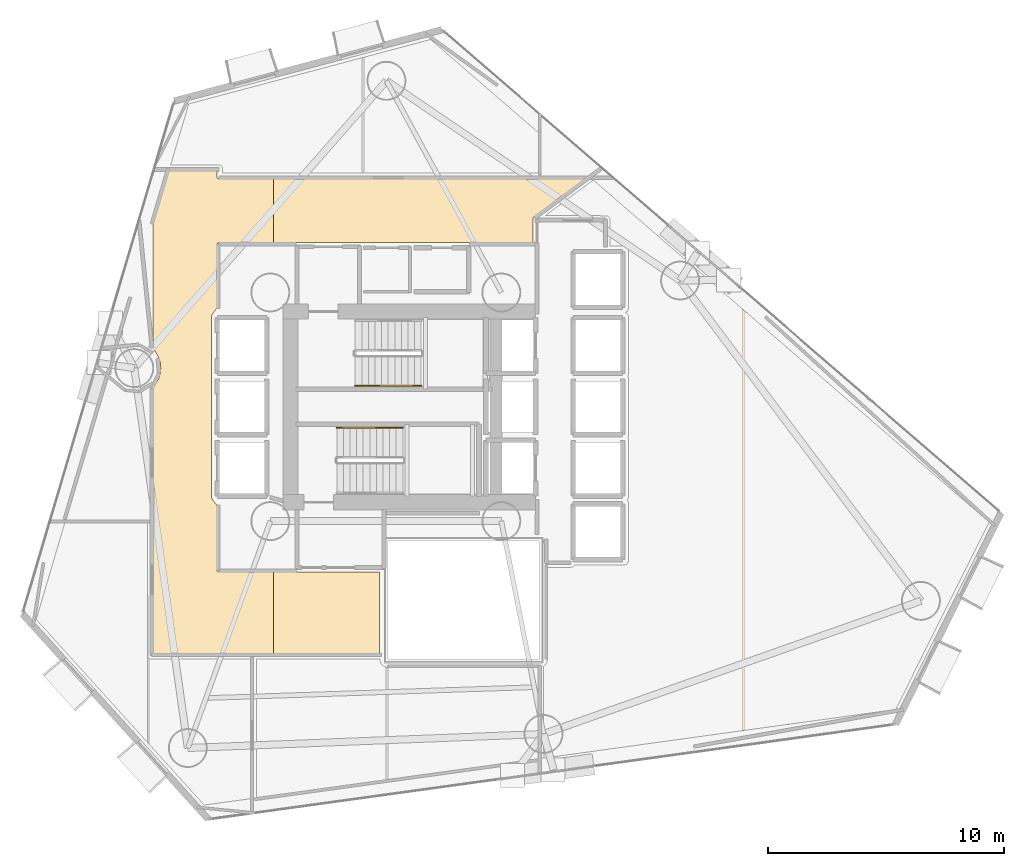
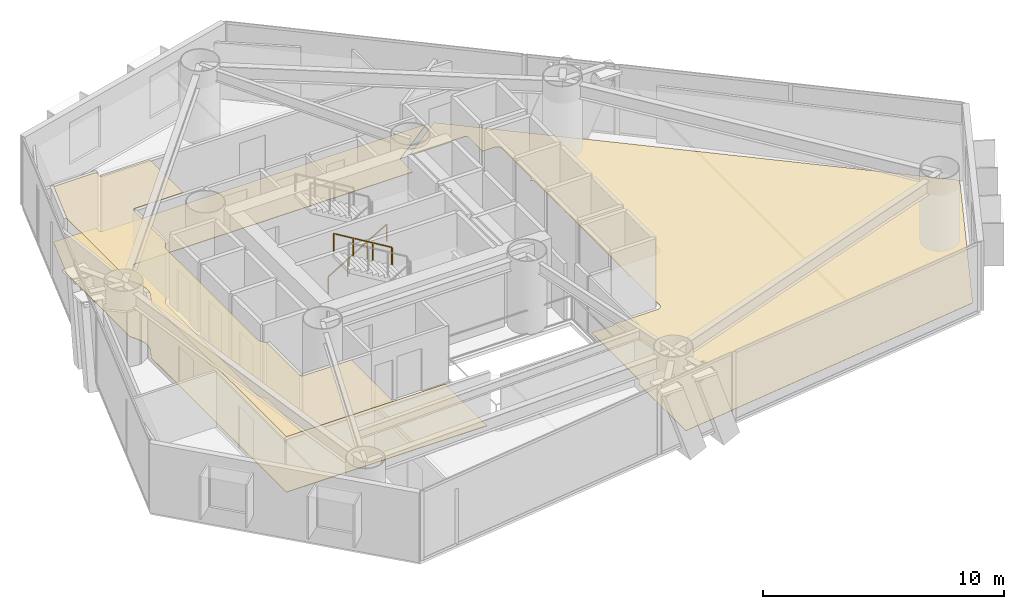
# One storey, part 21 of 23: 3 coverings, 2 railings.
"""IFC4 building model written with IfcOpenShell, lengths in metres."""

import ifcopenshell
import ifcopenshell.guid

model = None  # the IFC model being written
_history = None  # IfcOwnerHistory: only IFC2X3 demands one
_inside = {}  # id of a spatial element -> (the spatial element, [elements in it])
_under = {}  # id of a project, library or spatial element -> (it, [spatial elements below it])
_declared = {}  # id of a project -> (the project, [libraries it declares])
_typed = {}  # id of a type object -> (the type object, [elements of that type])
_made_of = {}  # id of a material, layer set ... -> (it, [elements and type objects made of it])


def new_model(schema):
    """Start an empty IFC model of exactly this schema.

    Asked for "IFC4X3", IfcOpenShell would pick the latest addendum, in which some entities
    have other attributes; the version numbers below select the first issue.
    IFC2X3 requires an IfcOwnerHistory on every rooted entity: one is made here for all.
    """
    global model, _history
    if schema == "IFC4X3":
        model = ifcopenshell.file(schema_version=(4, 3, 0, 0))
    else:
        model = ifcopenshell.file(schema=schema)
    _inside.clear()
    _under.clear()
    _declared.clear()
    _typed.clear()
    _made_of.clear()
    _history = None
    if model.schema == "IFC2X3":
        org = make("IfcOrganization", Name="unknown")
        user = make(
            "IfcPersonAndOrganization",
            ThePerson=make("IfcPerson", FamilyName="unknown"),
            TheOrganization=org,
        )
        app = make(
            "IfcApplication",
            ApplicationDeveloper=org,
            Version="unknown",
            ApplicationFullName="unknown",
            ApplicationIdentifier="unknown",
        )
        _history = make(
            "IfcOwnerHistory",
            OwningUser=user,
            OwningApplication=app,
            ChangeAction="ADDED",
            CreationDate=0,
        )
    return model


def make(cls, **values):
    """One entity of the class cls with the attributes given. An attribute that is None is left unset."""
    return model.create_entity(
        cls, **{name: value for name, value in values.items() if value is not None}
    )


def rooted(cls, **values):
    """An entity with a GlobalId (a new one), such as an element, a storey or a relation."""
    return make(cls, GlobalId=ifcopenshell.guid.new(), OwnerHistory=_history, **values)


def si_unit(unit_type, name, prefix=None):
    """IfcSIUnit, for example si_unit("LENGTHUNIT", "METRE", prefix="MILLI")."""
    return make("IfcSIUnit", UnitType=unit_type, Prefix=prefix, Name=name)


def assignment(units):
    """IfcUnitAssignment: the units of a project."""
    return None if units is None else make("IfcUnitAssignment", Units=units)


def point(xyz):
    """IfcCartesianPoint."""
    return None if xyz is None else make("IfcCartesianPoint", Coordinates=xyz)


def direction(xyz):
    """IfcDirection."""
    return None if xyz is None else make("IfcDirection", DirectionRatios=xyz)


def frame(location, z_axis=None, x_axis=None):
    """IfcAxis2Placement3D, a coordinate frame: its origin and axes. An axis left out is left unset."""
    return make(
        "IfcAxis2Placement3D",
        Location=point(location),
        Axis=direction(z_axis),
        RefDirection=direction(x_axis),
    )


def frame_2d(location, x_axis=None):
    """IfcAxis2Placement2D, a coordinate frame in the plane: its origin and x axis."""
    return make(
        "IfcAxis2Placement2D", Location=point(location), RefDirection=direction(x_axis)
    )


def origin():
    """The frame at (0, 0, 0) with its axes left unset."""
    return frame((0.0, 0.0, 0.0))


def origin_2d():
    """The frame at (0, 0) in the plane with its x axis left unset."""
    return frame_2d((0.0, 0.0))


def place(relative_to, where):
    """IfcLocalPlacement: puts the frame where relative to a parent placement (None: the world)."""
    return make(
        "IfcLocalPlacement", PlacementRelTo=relative_to, RelativePlacement=where
    )


def context(
    kind, dimensions, precision=None, world=None, true_north=None, identifier=None
):
    """IfcGeometricRepresentationContext, for example the 3D "Model" context."""
    return make(
        "IfcGeometricRepresentationContext",
        ContextIdentifier=identifier,
        ContextType=kind,
        CoordinateSpaceDimension=dimensions,
        Precision=precision,
        WorldCoordinateSystem=world,
        TrueNorth=true_north,
    )


def subcontext(parent, identifier, kind, view, scale=None):
    """IfcGeometricRepresentationSubContext, for example "Body" below "Model"."""
    return make(
        "IfcGeometricRepresentationSubContext",
        ContextIdentifier=identifier,
        ContextType=kind,
        ParentContext=parent,
        TargetScale=scale,
        TargetView=view,
    )


def project(units=None, contexts=None):
    """IfcProject with its units and contexts."""
    return rooted(
        "IfcProject",
        Name="project",
        RepresentationContexts=contexts,
        UnitsInContext=assignment(units),
    )


def spatial(cls, under=None, at=None, **own):
    """A site, building, storey or space (cls), placed at a placement, below another one or the project."""
    s = rooted(cls, ObjectPlacement=at, **own)
    if under is not None:
        _under.setdefault(under.id(), (under, []))[1].append(s)
    return s


def polyline(points):
    """IfcPolyline through the points."""
    return make("IfcPolyline", Points=[point(p) for p in points])


def profile(cls, at=None, kind="AREA", **sizes):
    """A parametric profile (cls). Its sizes go by their IFC names, for example OverallWidth=200.0."""
    return make(cls, ProfileType=kind, Position=at, **sizes)


def rectangle(**sizes):
    """IfcRectangleProfileDef."""
    return profile("IfcRectangleProfileDef", **sizes)


def outline(outer, holes=None, kind="AREA"):
    """IfcArbitraryClosedProfileDef: a profile drawn as a closed curve; with holes, ...WithVoids."""
    if holes is None:
        return make("IfcArbitraryClosedProfileDef", ProfileType=kind, OuterCurve=outer)
    return make(
        "IfcArbitraryProfileDefWithVoids",
        ProfileType=kind,
        OuterCurve=outer,
        InnerCurves=holes,
    )


def extrude(swept, where, along, depth):
    """IfcExtrudedAreaSolid: the profile swept, set in the frame where, extruded along a direction by depth."""
    return make(
        "IfcExtrudedAreaSolid",
        SweptArea=swept,
        Position=where,
        ExtrudedDirection=direction(along),
        Depth=depth,
    )


def shape(context_of_items, identifier, shape_type, items):
    """IfcShapeRepresentation: the items that make up one representation, for example the "Body"."""
    return make(
        "IfcShapeRepresentation",
        ContextOfItems=context_of_items,
        RepresentationIdentifier=identifier,
        RepresentationType=shape_type,
        Items=items,
    )


def material(Name=None, Category=None):
    """IfcMaterial."""
    return make("IfcMaterial", Name=Name, Category=Category)


def layer(
    of_material, thickness, ventilated=None, Name=None, Category=None, Priority=None
):
    """IfcMaterialLayer: one layer of a wall or slab, of a material (None: an air gap)."""
    return make(
        "IfcMaterialLayer",
        Material=of_material,
        LayerThickness=thickness,
        IsVentilated=ventilated,
        Name=Name,
        Category=Category,
        Priority=Priority,
    )


def layer_set(layers, Name=None):
    """IfcMaterialLayerSet."""
    return make("IfcMaterialLayerSet", MaterialLayers=layers, LayerSetName=Name)


def made_of(thing, what):
    """Note that an element or type object is made of a material, layer set ...; save() writes the relation."""
    if what is not None:
        _made_of.setdefault(what.id(), (what, []))[1].append(thing)
    return thing


def type_object(cls, material=None, **own):
    """A type object (cls), such as IfcWallType, which elements share."""
    return made_of(rooted(cls, **own), material)


def element(
    cls,
    number,
    at=None,
    inside=None,
    cuts=None,
    type_object=None,
    material=None,
    context=None,
    identifier="Body",
    shape_type=None,
    held_by="IfcProductDefinitionShape",
    body=None,
    shapes=None,
    **own,
):
    """One element of the class cls, such as IfcWall. Its Tag is "e" and its number.

    at: its placement. inside: the storey or other place that contains it. cuts: it is an
    opening in that element (IfcRelVoidsElement). A single representation is given by context,
    identifier, shape_type and body (its items); several are given by shapes. held_by: the class
    of the entity that holds the representations. save() writes the other relations.
    """
    e = rooted(cls, Tag="e%d" % number, ObjectPlacement=at, **own)
    if body is not None:
        shapes = [shape(context, identifier, shape_type, body)]
    if shapes is not None:
        e.Representation = make(held_by, Representations=shapes)
    if inside is not None:
        _inside.setdefault(inside.id(), (inside, []))[1].append(e)
    if cuts is not None:
        rooted(
            "IfcRelVoidsElement", RelatingBuildingElement=cuts, RelatedOpeningElement=e
        )
    if type_object is not None:
        _typed.setdefault(type_object.id(), (type_object, []))[1].append(e)
    return made_of(e, material)


def aggregate(whole, parts):
    """IfcRelAggregates: a whole, such as a stair, and the parts it consists of."""
    return rooted("IfcRelAggregates", RelatingObject=whole, RelatedObjects=parts)


def save(model, path):
    """Write the relations noted so far, then the file.

    IfcRelAggregates (storeys below a building ...), IfcRelContainedInSpatialStructure (elements
    in a storey), IfcRelDefinesByType, IfcRelAssociatesMaterial and IfcRelDeclares: one each for
    every whole, place, type object, material and project.
    """
    for whole, parts in _under.values():
        aggregate(whole, parts)
    for where, things in _inside.values():
        rooted(
            "IfcRelContainedInSpatialStructure",
            RelatedElements=things,
            RelatingStructure=where,
        )
    for kind, things in _typed.values():
        rooted("IfcRelDefinesByType", RelatedObjects=things, RelatingType=kind)
    for what, things in _made_of.values():
        rooted("IfcRelAssociatesMaterial", RelatedObjects=things, RelatingMaterial=what)
    for by, libraries in _declared.values():
        rooted("IfcRelDeclares", RelatingContext=by, RelatedDefinitions=libraries)
    model.write(path)


model = new_model("IFC4")

# Units and contexts
model_context = context("Model", 3, precision=1e-05, world=origin(), true_north=direction((0.0, 1.0)))
body_context = subcontext(model_context, "Body", "Model", "MODEL_VIEW")
ifc_project = project(units=[si_unit("LENGTHUNIT", "METRE"), si_unit("AREAUNIT", "SQUARE_METRE"), si_unit("VOLUMEUNIT", "CUBIC_METRE"), si_unit("PLANEANGLEUNIT", "RADIAN"), si_unit("MASSUNIT", "GRAM", prefix="KILO")], contexts=[model_context])

# Site, building, storey
site_placement = place(None, origin())
site = spatial("IfcSite", under=ifc_project, at=site_placement, CompositionType="ELEMENT")
building_placement = place(site_placement, origin())
building = spatial("IfcBuilding", under=site, at=building_placement, Name="Qianvela Tower", CompositionType="ELEMENT")
storey_placement = place(building_placement, frame((0.0, 0.0, 74.699951171875)))
storey = spatial("IfcBuildingStorey", under=building, at=storey_placement, Name="L18", CompositionType="ELEMENT", Elevation=74.699951171875)

# Coverings
ifc_material_1 = material(Name="Perforated Mineral Acoustic Ceiling Tile")
ifc_layer_1 = layer(ifc_material_1, 0.02490234375)
ifc_layer_set_1 = layer_set([ifc_layer_1], Name="Perforated Mineral Acoustic Ceiling Tile")
covering_type_1 = type_object("IfcCoveringType", Name="COV-CEIL-ACOUSTIC-25", PredefinedType="CEILING", material=ifc_layer_set_1)
covering_1_placement = place(storey_placement, frame((0.0, 0.0, 2.81494140625)))
element("IfcCovering", 1, at=covering_1_placement, inside=storey, type_object=covering_type_1, Name="L18 Acoustic Ceiling Bay 1 L18 Floor Corridor", PredefinedType="CEILING", context=body_context, shape_type="SweptSolid", body=[
    extrude(outline(polyline([(23.868408203125, 30.7705078125), (23.864990234375, 30.777587890625), (23.6298828125, 31.21728515625), (23.6298828125, 36.44873046875), (24.302001953125, 38.719970703125), (26.340087890625, 38.719970703125), (26.340087890625, 38.449951171875), (26.34033203125, 38.442138671875), (26.341552734375, 38.434326171875), (26.343505859375, 38.4267578125), (26.34619140625, 38.41943359375), (26.349365234375, 38.412353515625), (26.353515625, 38.405517578125), (26.358154296875, 38.399169921875), (26.36328125, 38.393310546875), (26.369140625, 38.38818359375), (26.37548828125, 38.383544921875), (26.38232421875, 38.37939453125), (26.389404296875, 38.376220703125), (26.396728515625, 38.373291015625), (26.404296875, 38.37158203125), (26.412109375, 38.370361328125), (26.419921875, 38.3701171875), (28.7412109375, 38.3701171875), (28.7412109375, 35.659912109375), (26.419921875, 35.659912109375), (26.412109375, 35.65966796875), (26.404296875, 35.658447265625), (26.396728515625, 35.656494140625), (26.389404296875, 35.65380859375), (26.38232421875, 35.650634765625), (26.37548828125, 35.646484375), (26.369140625, 35.641845703125), (26.36328125, 35.63671875), (26.358154296875, 35.630859375), (26.353515625, 35.62451171875), (26.349365234375, 35.61767578125), (26.34619140625, 35.610595703125), (26.343505859375, 35.603271484375), (26.341552734375, 35.595703125), (26.34033203125, 35.587890625), (26.340087890625, 35.580078125), (26.340087890625, 32.89599609375), (26.139404296875, 32.62548828125), (26.135498046875, 32.61962890625), (26.132080078125, 32.61376953125), (26.12939453125, 32.607421875), (26.126953125, 32.60107421875), (26.103515625, 32.523193359375), (26.1015625, 32.515625), (26.100341796875, 32.5078125), (26.10009765625, 32.5), (26.10009765625, 24.89990234375), (26.100341796875, 24.89208984375), (26.1015625, 24.884521484375), (26.103515625, 24.876708984375), (26.126953125, 24.799072265625), (26.12939453125, 24.79248046875), (26.132080078125, 24.786376953125), (26.135498046875, 24.7802734375), (26.139404296875, 24.774658203125), (26.340087890625, 24.50390625), (26.340087890625, 21.780029296875), (26.34033203125, 21.772216796875), (26.341552734375, 21.764404296875), (26.343505859375, 21.7568359375), (26.34619140625, 21.74951171875), (26.349365234375, 21.7421875), (26.353515625, 21.735595703125), (26.358154296875, 21.729248046875), (26.36328125, 21.723388671875), (26.369140625, 21.71826171875), (26.37548828125, 21.71337890625), (26.38232421875, 21.70947265625), (26.389404296875, 21.7060546875), (26.396728515625, 21.703369140625), (26.404296875, 21.701416015625), (26.412109375, 21.700439453125), (26.419921875, 21.699951171875), (28.7412109375, 21.699951171875), (28.7412109375, 18.22998046875), (23.6298828125, 18.22998046875), (23.6298828125, 29.462646484375), (23.864990234375, 29.90234375), (23.868408203125, 29.909423828125), (23.87109375, 29.9169921875), (23.930419921875, 30.11279296875), (23.932373046875, 30.12060546875), (23.93359375, 30.12841796875), (23.95361328125, 30.332275390625), (23.9541015625, 30.340087890625), (23.95361328125, 30.347900390625), (23.93359375, 30.5517578125), (23.932373046875, 30.5595703125), (23.930419921875, 30.567138671875), (23.87109375, 30.76318359375), (23.868408203125, 30.7705078125)])), origin(), (0.0, 0.0, 1.0), 0.025146484375),
])
ifc_material_2 = material(Name="Engineered Acoustic Oak Timber Flooring", Category="wood")
ifc_layer_2 = layer(ifc_material_2, 0.02001953125)
ifc_layer_set_2 = layer_set([ifc_layer_2], Name="Engineered Acoustic Oak Timber Flooring")
covering_type_2 = type_object("IfcCoveringType", Name="COV-FLOOR-OAK-20", PredefinedType="FLOORING", material=ifc_layer_set_2)
covering_2_placement = place(storey_placement, origin())
element("IfcCovering", 2, at=covering_2_placement, inside=storey, type_object=covering_type_2, Name="L18 Finish Flooring Debate Lecture Classroom L18-03", PredefinedType="FLOORING", context=body_context, shape_type="SweptSolid", body=[
    extrude(outline(polyline([(40.2626953125, 36.809814453125), (42.298095703125, 38.3212890625), (59.09326171875, 23.80712890625), (55.130126953125, 15.859619140625), (40.199951171875, 13.795166015625), (40.1962890625, 17.70458984375), (40.242431640625, 17.735595703125), (40.248779296875, 17.740234375), (40.254638671875, 17.745361328125), (40.259765625, 17.751220703125), (40.264404296875, 17.757568359375), (40.3251953125, 17.848388671875), (40.3291015625, 17.85498046875), (40.33251953125, 17.8623046875), (40.335205078125, 17.86962890625), (40.337158203125, 17.877197265625), (40.3583984375, 17.984375), (40.359619140625, 17.9921875), (40.360107421875, 18.0), (40.360107421875, 21.889892578125), (41.367919921875, 21.890380859375), (41.375732421875, 21.890869140625), (41.383544921875, 21.891845703125), (41.39111328125, 21.893798828125), (41.3984375, 21.896484375), (41.405517578125, 21.89990234375), (41.45947265625, 21.9287109375), (41.46630859375, 21.932861328125), (41.472900390625, 21.9375), (41.478759765625, 21.943115234375), (41.48388671875, 21.948974609375), (41.48876953125, 21.955322265625), (41.492919921875, 21.96240234375), (41.49609375, 21.969482421875), (41.498779296875, 21.97705078125), (41.49951171875, 21.97998046875), (43.59375, 21.980712890625), (43.6015625, 21.981201171875), (43.609375, 21.982177734375), (43.616943359375, 21.984130859375), (43.624267578125, 21.98681640625), (43.699462890625, 22.017822265625), (43.70703125, 22.021484375), (43.71435546875, 22.02587890625), (43.72119140625, 22.03125), (43.727294921875, 22.037109375), (43.732666015625, 22.043701171875), (43.7373046875, 22.05078125), (43.785888671875, 22.131591796875), (43.7900390625, 22.13916015625), (43.793212890625, 22.147216796875), (43.79541015625, 22.155517578125), (43.796875, 22.1640625), (43.79736328125, 22.172607421875), (43.800048828125, 24.599853515625), (43.7998046875, 24.606689453125), (43.798828125, 24.613525390625), (43.79736328125, 24.620361328125), (43.79541015625, 24.626953125), (43.763427734375, 24.7158203125), (43.760498046875, 24.722900390625), (43.7568359375, 24.72998046875), (43.75244140625, 24.736572265625), (43.74755859375, 24.742431640625), (43.741943359375, 24.748046875), (43.73779296875, 24.75146484375), (43.785888671875, 24.83154296875), (43.7900390625, 24.839111328125), (43.793212890625, 24.84716796875), (43.79541015625, 24.85546875), (43.796875, 24.864013671875), (43.79736328125, 24.87255859375), (43.800048828125, 27.2998046875), (43.799560546875, 27.307861328125), (43.79833984375, 27.31591796875), (43.79638671875, 27.323486328125), (43.793701171875, 27.3310546875), (43.7646484375, 27.39990234375), (43.793701171875, 27.468994140625), (43.79638671875, 27.476318359375), (43.79833984375, 27.484130859375), (43.799560546875, 27.491943359375), (43.800048828125, 27.5), (43.800048828125, 29.89990234375), (43.799560546875, 29.907958984375), (43.79833984375, 29.915771484375), (43.79638671875, 29.923583984375), (43.793701171875, 29.93115234375), (43.7646484375, 30.0), (43.793701171875, 30.06884765625), (43.79638671875, 30.076416015625), (43.79833984375, 30.084228515625), (43.799560546875, 30.09228515625), (43.800048828125, 30.10009765625), (43.7939453125, 32.540771484375), (43.793701171875, 32.548583984375), (43.79248046875, 32.556396484375), (43.79052734375, 32.56396484375), (43.787841796875, 32.5712890625), (43.784423828125, 32.578369140625), (43.780517578125, 32.585205078125), (43.7353515625, 32.652587890625), (43.73095703125, 32.658447265625), (43.726318359375, 32.6640625), (43.720947265625, 32.6689453125), (43.715087890625, 32.673583984375), (43.708984375, 32.677490234375), (43.702392578125, 32.680908203125), (43.69580078125, 32.68359375), (43.644287109375, 32.701904296875), (43.722412109375, 32.739013671875), (43.729248046875, 32.74267578125), (43.73583984375, 32.746826171875), (43.741943359375, 32.751953125), (43.74755859375, 32.757568359375), (43.75244140625, 32.763427734375), (43.7568359375, 32.77001953125), (43.760498046875, 32.777099609375), (43.763427734375, 32.7841796875), (43.79541015625, 32.873046875), (43.7978515625, 32.8818359375), (43.799560546875, 32.890869140625), (43.800048828125, 32.89990234375), (43.800048828125, 35.300048828125), (43.799560546875, 35.30908203125), (43.7978515625, 35.318115234375), (43.79541015625, 35.326904296875), (43.763427734375, 35.415771484375), (43.760498046875, 35.423095703125), (43.7568359375, 35.429931640625), (43.75244140625, 35.4365234375), (43.74755859375, 35.4423828125), (43.741943359375, 35.447998046875), (43.73583984375, 35.453125), (43.729248046875, 35.45751953125), (43.6484375, 35.505859375), (43.640869140625, 35.510009765625), (43.6328125, 35.51318359375), (43.62451171875, 35.515380859375), (43.6162109375, 35.516845703125), (43.607666015625, 35.517333984375), (43.0, 35.519775390625), (43.010009765625, 36.6494140625), (43.009765625, 36.6572265625), (43.008544921875, 36.6650390625), (43.006591796875, 36.6728515625), (43.00390625, 36.680419921875), (43.00048828125, 36.6875), (42.99658203125, 36.6943359375), (42.947021484375, 36.768310546875), (42.9423828125, 36.774658203125), (42.937255859375, 36.780517578125), (42.931396484375, 36.78564453125), (42.925048828125, 36.790283203125), (42.91845703125, 36.79443359375), (42.911376953125, 36.7978515625), (42.904052734375, 36.80029296875), (42.896484375, 36.80224609375), (42.888671875, 36.803466796875), (42.880859375, 36.803955078125), (40.2626953125, 36.809814453125)])), origin(), (0.0, 0.0, 1.0), 0.02001953125),
])
ifc_material_3 = material(Name="Honed Stone Terrazzo Flooring", Category="masonry")
ifc_layer_3 = layer(ifc_material_3, 0.030029296875)
ifc_layer_set_3 = layer_set([ifc_layer_3], Name="Honed Stone Terrazzo Flooring")
covering_type_3 = type_object("IfcCoveringType", Name="COV-FLOOR-TERRAZZO-30", PredefinedType="FLOORING", material=ifc_layer_set_3)
covering_3_placement = place(storey_placement, origin())
element("IfcCovering", 3, at=covering_3_placement, inside=storey, type_object=covering_type_3, Name="L18 Finish Flooring L18 Floor Corridor", PredefinedType="FLOORING", context=body_context, shape_type="SweptSolid", body=[
    extrude(outline(polyline([(23.87109375, 30.76318359375), (23.868408203125, 30.7705078125), (23.864990234375, 30.777587890625), (23.6298828125, 31.21728515625), (23.6298828125, 36.44873046875), (24.302001953125, 38.719970703125), (26.340087890625, 38.719970703125), (26.340087890625, 38.449951171875), (26.34033203125, 38.442138671875), (26.341552734375, 38.434326171875), (26.343505859375, 38.4267578125), (26.34619140625, 38.41943359375), (26.349365234375, 38.412353515625), (26.353515625, 38.405517578125), (26.358154296875, 38.399169921875), (26.36328125, 38.393310546875), (26.369140625, 38.38818359375), (26.37548828125, 38.383544921875), (26.38232421875, 38.37939453125), (26.389404296875, 38.376220703125), (26.396728515625, 38.373291015625), (26.404296875, 38.37158203125), (26.412109375, 38.370361328125), (26.419921875, 38.3701171875), (41.961181640625, 38.3701171875), (39.784423828125, 36.753662109375), (39.778076171875, 36.748291015625), (39.772216796875, 36.742431640625), (39.76708984375, 36.736083984375), (39.7626953125, 36.729248046875), (39.759033203125, 36.721923828125), (39.756103515625, 36.71435546875), (39.75390625, 36.70654296875), (39.752685546875, 36.698486328125), (39.752197265625, 36.690185546875), (39.739013671875, 35.659912109375), (26.419921875, 35.659912109375), (26.412109375, 35.65966796875), (26.404296875, 35.658447265625), (26.396728515625, 35.656494140625), (26.389404296875, 35.65380859375), (26.38232421875, 35.650634765625), (26.37548828125, 35.646484375), (26.369140625, 35.641845703125), (26.36328125, 35.63671875), (26.358154296875, 35.630859375), (26.353515625, 35.62451171875), (26.349365234375, 35.61767578125), (26.34619140625, 35.610595703125), (26.343505859375, 35.603271484375), (26.341552734375, 35.595703125), (26.34033203125, 35.587890625), (26.340087890625, 35.580078125), (26.340087890625, 32.89599609375), (26.139404296875, 32.62548828125), (26.135498046875, 32.61962890625), (26.132080078125, 32.61376953125), (26.12939453125, 32.607421875), (26.126953125, 32.60107421875), (26.103515625, 32.523193359375), (26.1015625, 32.515625), (26.100341796875, 32.5078125), (26.10009765625, 32.5), (26.10009765625, 24.89990234375), (26.100341796875, 24.89208984375), (26.1015625, 24.884521484375), (26.103515625, 24.876708984375), (26.126953125, 24.799072265625), (26.12939453125, 24.79248046875), (26.132080078125, 24.786376953125), (26.135498046875, 24.7802734375), (26.139404296875, 24.774658203125), (26.340087890625, 24.50390625), (26.340087890625, 21.780029296875), (26.34033203125, 21.772216796875), (26.341552734375, 21.764404296875), (26.343505859375, 21.7568359375), (26.34619140625, 21.74951171875), (26.349365234375, 21.7421875), (26.353515625, 21.735595703125), (26.358154296875, 21.729248046875), (26.36328125, 21.723388671875), (26.369140625, 21.71826171875), (26.37548828125, 21.71337890625), (26.38232421875, 21.70947265625), (26.389404296875, 21.7060546875), (26.396728515625, 21.703369140625), (26.404296875, 21.701416015625), (26.412109375, 21.700439453125), (26.419921875, 21.699951171875), (33.239990234375, 21.699951171875), (33.239990234375, 18.22998046875), (23.6298828125, 18.22998046875), (23.6298828125, 29.462646484375), (23.864990234375, 29.90234375), (23.868408203125, 29.909423828125), (23.87109375, 29.9169921875), (23.930419921875, 30.11279296875), (23.932373046875, 30.12060546875), (23.93359375, 30.12841796875), (23.95361328125, 30.332275390625), (23.9541015625, 30.340087890625), (23.95361328125, 30.347900390625), (23.93359375, 30.5517578125), (23.932373046875, 30.5595703125), (23.930419921875, 30.567138671875), (23.87109375, 30.76318359375)])), origin(), (0.0, 0.0, 1.0), 0.030029296875),
])

# Railings
ifc_material_4 = material(Name="Brushed Stainless Steel 304", Category="steel")
railing_type = type_object("IfcRailingType", Name="RL-STAIR-HANDRAIL-900", PredefinedType="HANDRAIL", material=ifc_material_4)
railing_1_placement = place(storey_placement, frame((32.199951171875, 29.590087890625, 0.168212890625)))
element("IfcRailing", 4, at=railing_1_placement, inside=storey, type_object=railing_type, Name="L18 ST-1 stair handrail 1", PredefinedType="HANDRAIL", context=body_context, shape_type="SweptSolid", body=[
    extrude(rectangle(XDim=0.050048828125, YDim=0.0400390625, at=origin_2d()), frame((0.0, 0.0, 0.8798828125), z_axis=(0.857242210791, 0.0, 0.514913383045), x_axis=(0.0, 1.0, 0.0)), (0.0, 0.0, 1.0), 3.266357421875),
    extrude(rectangle(XDim=0.050048828125, YDim=0.050048828125, at=origin_2d()), origin(), (0.0, 0.0, 1.0), 0.85986328125),
    extrude(rectangle(XDim=0.050048828125, YDim=0.050048828125, at=origin_2d()), frame((0.933349609375, 0.0, 0.560546875)), (0.0, 0.0, 1.0), 0.85986328125),
    extrude(rectangle(XDim=0.050048828125, YDim=0.050048828125, at=origin_2d()), frame((1.86669921875, 0.0, 1.121337890625)), (0.0, 0.0, 1.0), 0.85986328125),
    extrude(rectangle(XDim=0.050048828125, YDim=0.050048828125, at=origin_2d()), frame((2.800048828125, 0.0, 1.681884765625)), (0.0, 0.0, 1.0), 0.85986328125),
])
railing_2_placement = place(storey_placement, frame((34.219970703125, 27.81005859375, 2.018310546875)))
element("IfcRailing", 5, at=railing_2_placement, inside=storey, type_object=railing_type, Name="L18 ST-2 stair handrail 2", PredefinedType="HANDRAIL", context=body_context, shape_type="SweptSolid", body=[
    extrude(rectangle(XDim=0.050048828125, YDim=0.0400390625, at=origin_2d()), frame((0.0, 0.0, 0.8798828125), z_axis=(-0.857275202839, 0.0, 0.514858452973), x_axis=(0.0, -1.0, 0.0)), (0.0, 0.0, 1.0), 3.26611328125),
    extrude(rectangle(XDim=0.050048828125, YDim=0.050048828125, at=origin_2d()), origin(), (0.0, 0.0, 1.0), 0.85986328125),
    extrude(rectangle(XDim=0.050048828125, YDim=0.050048828125, at=origin_2d()), frame((-0.933349609375, 0.0, 0.560546875)), (0.0, 0.0, 1.0), 0.85986328125),
    extrude(rectangle(XDim=0.050048828125, YDim=0.050048828125, at=origin_2d()), frame((-1.86669921875, 0.0, 1.12109375)), (0.0, 0.0, 1.0), 0.85986328125),
    extrude(rectangle(XDim=0.050048828125, YDim=0.050048828125, at=origin_2d()), frame((-2.800048828125, 0.0, 1.681640625)), (0.0, 0.0, 1.0), 0.85986328125),
])

save(model, "model.ifc")
